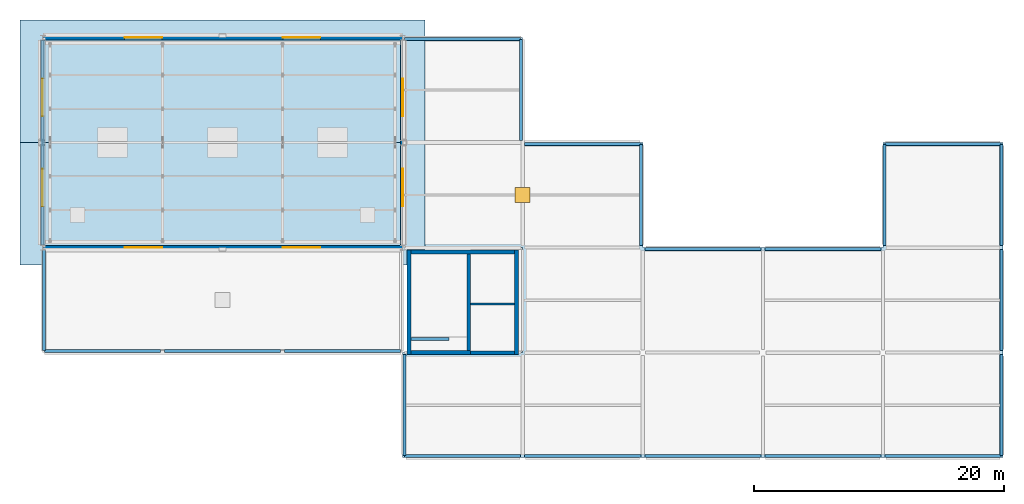
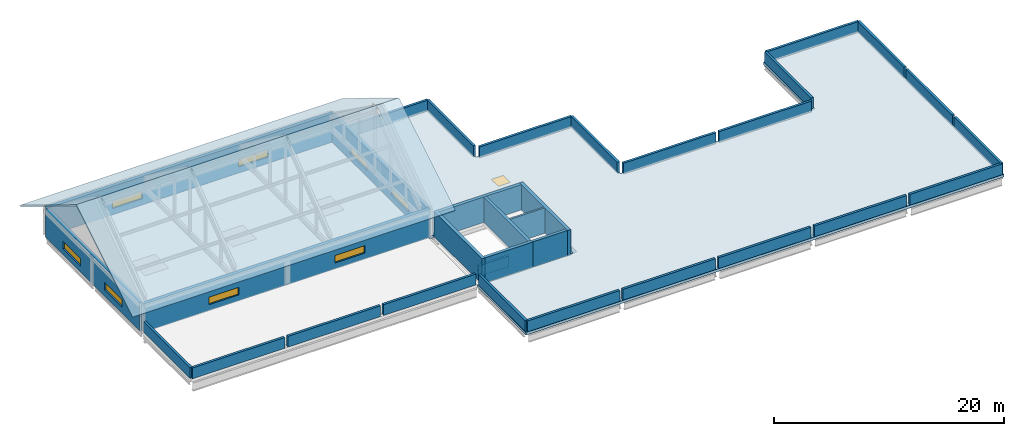
# One storey, part 9 of 10: 33 walls, 8 windows, 2 roofs, 1 door, 1 slab, 9 openings.
"""IFC4 building model written with IfcOpenShell, lengths in metres."""

from ifc_helpers import new_model, si_unit, direction, frame, frame_2d, origin, origin_2d, place, context, subcontext, project, spatial, polyline, rectangle, outline, extrude, material, layer, layer_set, type_object, element, fill, save


model = new_model("IFC4")

# Units and contexts
model_context = context("Model", 3, precision=1e-05, world=origin(), true_north=direction((0.0, 1.0)))
body_context = subcontext(model_context, "Body", "Model", "MODEL_VIEW")
ifc_project = project(units=[si_unit("LENGTHUNIT", "METRE"), si_unit("AREAUNIT", "SQUARE_METRE"), si_unit("VOLUMEUNIT", "CUBIC_METRE"), si_unit("PLANEANGLEUNIT", "RADIAN"), si_unit("MASSUNIT", "GRAM", prefix="KILO")], contexts=[model_context])

# Site, building, storey
site_placement = place(None, origin())
site = spatial("IfcSite", under=ifc_project, at=site_placement, CompositionType="ELEMENT")
building_placement = place(site_placement, origin())
building = spatial("IfcBuilding", under=site, at=building_placement, Name="Lornevale Opera House", CompositionType="ELEMENT")
storey_placement = place(building_placement, frame((0.0, 0.0, 31.199951171875)))
storey = spatial("IfcBuildingStorey", under=building, at=storey_placement, Name="RF", CompositionType="ELEMENT", Elevation=31.199951171875)

# Slab, opening, door
ifc_material_1 = material(Name="Concrete 35 MPa (CSA A23.1 N)", Category="concrete")
ifc_layer_1 = layer(ifc_material_1, 0.2900390625)
ifc_layer_set_1 = layer_set([ifc_layer_1], Name="Concrete 35 MPa (CSA A23.1 N)")
slab_type = type_object("IfcSlabType", Name="Vegetated Green Roof Slab 290", PredefinedType="ROOF", material=ifc_layer_set_1)
slab_placement = place(storey_placement, frame((0.0, 0.0, -0.2900390625)))
slab = element("IfcSlab", 1, at=slab_placement, inside=storey, type_object=slab_type, Name="Unoccupied Maintenance Vegetated Green Roof Slab SL-087", PredefinedType="ROOF", context=body_context, shape_type="SweptSolid", body=[
    extrude(outline(polyline([(105.60009765625, 67.199951171875), (96.0, 67.199951171875), (96.0, 75.60009765625), (96.0, 84.0), (105.60009765625, 84.0), (105.60009765625, 75.60009765625), (115.199951171875, 75.60009765625), (115.199951171875, 67.199951171875), (124.800048828125, 67.199951171875), (134.39990234375, 67.199951171875), (134.39990234375, 75.60009765625), (144.0, 75.60009765625), (144.0, 67.199951171875), (144.0, 58.800048828125), (144.0, 50.39990234375), (134.39990234375, 50.39990234375), (124.800048828125, 50.39990234375), (115.199951171875, 50.39990234375), (105.60009765625, 50.39990234375), (96.0, 50.39990234375), (96.0, 58.800048828125), (105.60009765625, 58.800048828125), (105.60009765625, 67.199951171875)])), origin(), (0.0, 0.0, 1.0), 0.2900390625),
])
opening_1_placement = place(slab_placement, frame((105.60009765625, 71.39990234375, 0.0)))
opening_1 = element("IfcOpeningElement", 2, at=opening_1_placement, cuts=slab, Name="Opening DR-T09", PredefinedType="OPENING", context=body_context, shape_type="SweptSolid", body=[
    extrude(rectangle(XDim=1.199951171875, YDim=1.199951171875, at=origin_2d()), origin(), (0.0, 0.0, 1.0), 0.2900390625),
])
ifc_material_2 = material(Name="Painted Hollow Metal Door Steel", Category="steel")
ifc_layer_2 = layer(ifc_material_2, 0.050048828125)
ifc_layer_set_2 = layer_set([ifc_layer_2], Name="Painted Hollow Metal Door Steel")
door_type = type_object("IfcDoorType", Name="Fly Tower Roof Access Hatch 1200x1200", OperationType="NOTDEFINED", PredefinedType="TRAPDOOR", material=ifc_layer_set_2)
door_placement = place(opening_1_placement, frame((0.0, 0.0, 0.239990234375)))
door = element("IfcDoor", 3, at=door_placement, inside=storey, type_object=door_type, Name="Stagehouse Roof Access Hatch DR-HAT-047", OperationType="SINGLE_SWING_LEFT", OverallHeight=1.199951171875, OverallWidth=1.199951171875, PredefinedType="TRAPDOOR", context=body_context, shape_type="SweptSolid", body=[
    extrude(rectangle(XDim=1.199951171875, YDim=1.199951171875, at=origin_2d()), origin(), (0.0, 0.0, 1.0), 0.050048828125),
])
fill(opening_1, door)

# Walls
ifc_material_3 = material(Name="Concrete 40 MPa (CSA A23.1 C-1)", Category="concrete")
ifc_layer_3 = layer(ifc_material_3, 0.320068359375)
ifc_layer_set_3 = layer_set([ifc_layer_3], Name="Concrete 40 MPa (CSA A23.1 C-1)")
wall_type_1 = type_object("IfcWallType", Name="Core Shear Wall 320", PredefinedType="SHEAR", material=ifc_layer_set_3)
wall_1_placement = place(storey_placement, frame((96.659912109375, 58.800048828125, 0.0), z_axis=(0.0, 0.0, 1.0), x_axis=(1.0, 0.0, 0.0)))
element("IfcWall", 4, at=wall_1_placement, inside=storey, type_object=wall_type_1, Name="Stagehouse Firefighter Core West Core Shear Wall 320 WL-COR-0253", PredefinedType="SHEAR", context=body_context, shape_type="SweptSolid", body=[
    extrude(rectangle(XDim=4.780029296875, YDim=0.320068359375, at=frame_2d((2.39013671875, 0.0))), origin(), (0.0, 0.0, 1.0), 2.699951171875),
])
wall_2_placement = place(storey_placement, frame((104.93994140625, 66.840087890625, 0.0), z_axis=(0.0, 0.0, 1.0), x_axis=(-1.0, 0.0, 0.0)))
element("IfcWall", 5, at=wall_2_placement, inside=storey, type_object=wall_type_1, Name="Stagehouse Firefighter Core West Core Shear Wall 320 WL-COR-0255", PredefinedType="SHEAR", context=body_context, shape_type="SweptSolid", body=[
    extrude(rectangle(XDim=8.280029296875, YDim=0.320068359375, at=frame_2d((4.14013671875, 0.0))), origin(), (0.0, 0.0, 1.0), 2.699951171875),
])
for number, where, z_axis, x_axis, name in (
    (6, (96.5, 67.0, 0.0), (0.0, 0.0, 1.0), (0.0, -1.0, 0.0), "Stagehouse Firefighter Core West Core Shear Wall 320 WL-COR-0256"),
    (7, (105.10009765625, 58.639892578125, 0.0), (0.0, 0.0, 1.0), (0.0, 1.0, 0.0), "Stagehouse Firefighter Core West Core Shear Wall 320 WL-COR-0257"),
):
    element("IfcWall", number, at=place(storey_placement, frame(where, z_axis=z_axis, x_axis=x_axis)), inside=storey, type_object=wall_type_1, Name=name, PredefinedType="SHEAR", context=body_context, shape_type="SweptSolid", body=[
        extrude(rectangle(XDim=8.360107421875, YDim=0.320068359375, at=frame_2d((4.18017578125, 0.0))), origin(), (0.0, 0.0, 1.0), 2.699951171875),
    ])
ifc_layer_4 = layer(ifc_material_3, 0.280029296875)
ifc_layer_set_4 = layer_set([ifc_layer_4], Name="Concrete 40 MPa (CSA A23.1 C-1)")
wall_type_2 = type_object("IfcWallType", Name="Elevator Shaft Wall 280", PredefinedType="SHEAR", material=ifc_layer_set_4)
wall_3_placement = place(storey_placement, frame((101.43994140625, 58.800048828125, 0.0), z_axis=(0.0, 0.0, 1.0), x_axis=(1.0, 0.0, 0.0)))
element("IfcWall", 8, at=wall_3_placement, inside=storey, type_object=wall_type_2, Name="Stagehouse Firefighter Core West Elevator Shaft Wall 280 WL-COR-0254", PredefinedType="SHEAR", context=body_context, shape_type="SweptSolid", body=[
    extrude(rectangle(XDim=3.5, YDim=0.280029296875, at=frame_2d((1.75, 0.0))), origin(), (0.0, 0.0, 1.0), 2.699951171875),
])
wall_4_placement = place(storey_placement, frame((101.300048828125, 58.9599609375, 0.0), z_axis=(0.0, 0.0, 1.0), x_axis=(0.0, 1.0, 0.0)))
element("IfcWall", 9, at=wall_4_placement, inside=storey, type_object=wall_type_2, Name="Stagehouse Firefighter Core West Elevator Shaft Wall 280 WL-COR-0258", PredefinedType="SHEAR", context=body_context, shape_type="SweptSolid", body=[
    extrude(rectangle(XDim=7.719970703125, YDim=0.280029296875, at=frame_2d((3.85986328125, 0.0))), origin(), (0.0, 0.0, 1.0), 2.699951171875),
])

# Wall, openings, windows
ifc_material_4 = material(Name="Precast Concrete 40 MPa (CSA A23.1 C-1)", Category="concrete")
ifc_layer_5 = layer(ifc_material_4, 0.360107421875)
ifc_layer_set_5 = layer_set([ifc_layer_5], Name="Precast Concrete 40 MPa (CSA A23.1 C-1)")
wall_type_3 = type_object("IfcWallType", Name="Fly Tower Acoustic Precast Wall 360", PredefinedType="SOLIDWALL", material=ifc_layer_set_5)
wall_5_placement = place(storey_placement, frame((95.97998046875, 67.199951171875, 0.0), z_axis=(0.0, 0.0, 1.0), x_axis=(-1.0, 0.0, 0.0)))
wall_5 = element("IfcWall", 10, at=wall_5_placement, inside=storey, type_object=wall_type_3, Name="Fly Tower Crown Wall WL-FLY-0320", PredefinedType="SOLIDWALL", context=body_context, shape_type="SweptSolid", body=[
    extrude(rectangle(XDim=28.760009765625, YDim=0.360107421875, at=frame_2d((14.3798828125, 0.0))), origin(), (0.0, 0.0, 1.0), 3.0),
])
opening_2_placement = place(wall_5_placement, frame((6.552978515625, 0.0, 0.64990234375)))
opening_2 = element("IfcOpeningElement", 11, at=opening_2_placement, cuts=wall_5, Name="Opening WN-T21", PredefinedType="OPENING", context=body_context, shape_type="SweptSolid", body=[
    extrude(rectangle(XDim=3.0, YDim=0.800048828125, at=frame_2d((1.5, 0.39990234375))), frame((0.0, 0.18994140625, 0.0), z_axis=(0.0, -1.0, 0.0), x_axis=(1.0, 0.0, 0.0)), (0.0, 0.0, 1.0), 0.380126953125),
])
opening_3_placement = place(wall_5_placement, frame((19.20703125, 0.0, 0.64990234375)))
opening_3 = element("IfcOpeningElement", 12, at=opening_3_placement, cuts=wall_5, Name="Opening WN-T21", PredefinedType="OPENING", context=body_context, shape_type="SweptSolid", body=[
    extrude(rectangle(XDim=3.0, YDim=0.800048828125, at=frame_2d((1.5, 0.39990234375))), frame((0.0, 0.18994140625, 0.0), z_axis=(0.0, -1.0, 0.0), x_axis=(1.0, 0.0, 0.0)), (0.0, 0.0, 1.0), 0.380126953125),
])
ifc_material_5 = material(Name="Triple Low-E Insulated Glazing", Category="glass")
ifc_layer_6 = layer(ifc_material_5, 0.06005859375)
ifc_layer_set_6 = layer_set([ifc_layer_6], Name="Triple Low-E Insulated Glazing")
window_type = type_object("IfcWindowType", Name="Fly Tower Clerestory Ribbon 3000x800", PartitioningType="NOTDEFINED", PredefinedType="WINDOW", material=ifc_layer_set_6)
window_1_placement = place(opening_2_placement, origin())
window_1 = element("IfcWindow", 13, at=window_1_placement, inside=storey, type_object=window_type, Name="Fly Tower Smoke-Vent Clerestory WN-0136", OverallHeight=0.800048828125, OverallWidth=3.0, PartitioningType="SINGLE_PANEL", PredefinedType="WINDOW", context=body_context, shape_type="SweptSolid", body=[
    extrude(rectangle(XDim=3.0, YDim=0.800048828125, at=frame_2d((1.5, 0.39990234375))), frame((0.0, 0.030029296875, 0.0), z_axis=(0.0, -1.0, 0.0), x_axis=(1.0, 0.0, 0.0)), (0.0, 0.0, 1.0), 0.06005859375),
])
fill(opening_2, window_1)
window_2_placement = place(opening_3_placement, origin())
window_2 = element("IfcWindow", 14, at=window_2_placement, inside=storey, type_object=window_type, Name="Fly Tower Smoke-Vent Clerestory WN-0137", OverallHeight=0.800048828125, OverallWidth=3.0, PartitioningType="SINGLE_PANEL", PredefinedType="WINDOW", context=body_context, shape_type="SweptSolid", body=[
    extrude(rectangle(XDim=3.0, YDim=0.800048828125, at=frame_2d((1.5, 0.39990234375))), frame((0.0, 0.030029296875, 0.0), z_axis=(0.0, -1.0, 0.0), x_axis=(1.0, 0.0, 0.0)), (0.0, 0.0, 1.0), 0.06005859375),
])
fill(opening_3, window_2)

wall_6_placement = place(storey_placement, frame((67.199951171875, 67.389892578125, 0.0), z_axis=(0.0, 0.0, 1.0), x_axis=(0.0, 1.0, 0.0)))
wall_6 = element("IfcWall", 15, at=wall_6_placement, inside=storey, type_object=wall_type_3, Name="Fly Tower Crown Wall WL-FLY-0321", PredefinedType="SOLIDWALL", context=body_context, shape_type="SweptSolid", body=[
    extrude(rectangle(XDim=16.420166015625, YDim=0.360107421875, at=frame_2d((8.2099609375, 0.0))), origin(), (0.0, 0.0, 1.0), 3.0),
])
opening_4_placement = place(wall_6_placement, frame((3.097900390625, 0.0, 0.64990234375)))
opening_4 = element("IfcOpeningElement", 16, at=opening_4_placement, cuts=wall_6, Name="Opening WN-T21", PredefinedType="OPENING", context=body_context, shape_type="SweptSolid", body=[
    extrude(rectangle(XDim=3.0, YDim=0.800048828125, at=frame_2d((1.5, 0.39990234375))), frame((0.0, 0.18994140625, 0.0), z_axis=(0.0, -1.0, 0.0), x_axis=(1.0, 0.0, 0.0)), (0.0, 0.0, 1.0), 0.380126953125),
])
opening_5_placement = place(wall_6_placement, frame((10.322021484375, 0.0, 0.64990234375)))
opening_5 = element("IfcOpeningElement", 17, at=opening_5_placement, cuts=wall_6, Name="Opening WN-T21", PredefinedType="OPENING", context=body_context, shape_type="SweptSolid", body=[
    extrude(rectangle(XDim=3.0, YDim=0.800048828125, at=frame_2d((1.5, 0.39990234375))), frame((0.0, 0.18994140625, 0.0), z_axis=(0.0, -1.0, 0.0), x_axis=(1.0, 0.0, 0.0)), (0.0, 0.0, 1.0), 0.380126953125),
])
window_3_placement = place(opening_4_placement, origin())
window_3 = element("IfcWindow", 18, at=window_3_placement, inside=storey, type_object=window_type, Name="Fly Tower Smoke-Vent Clerestory WN-0138", OverallHeight=0.800048828125, OverallWidth=3.0, PartitioningType="SINGLE_PANEL", PredefinedType="WINDOW", context=body_context, shape_type="SweptSolid", body=[
    extrude(rectangle(XDim=3.0, YDim=0.800048828125, at=frame_2d((1.5, 0.39990234375))), frame((0.0, 0.030029296875, 0.0), z_axis=(0.0, -1.0, 0.0), x_axis=(1.0, 0.0, 0.0)), (0.0, 0.0, 1.0), 0.06005859375),
])
fill(opening_4, window_3)
window_4_placement = place(opening_5_placement, origin())
window_4 = element("IfcWindow", 19, at=window_4_placement, inside=storey, type_object=window_type, Name="Fly Tower Smoke-Vent Clerestory WN-0139", OverallHeight=0.800048828125, OverallWidth=3.0, PartitioningType="SINGLE_PANEL", PredefinedType="WINDOW", context=body_context, shape_type="SweptSolid", body=[
    extrude(rectangle(XDim=3.0, YDim=0.800048828125, at=frame_2d((1.5, 0.39990234375))), frame((0.0, 0.030029296875, 0.0), z_axis=(0.0, -1.0, 0.0), x_axis=(1.0, 0.0, 0.0)), (0.0, 0.0, 1.0), 0.06005859375),
])
fill(opening_5, window_4)

wall_7_placement = place(storey_placement, frame((67.219970703125, 84.0, 0.0), z_axis=(0.0, 0.0, 1.0), x_axis=(1.0, 0.0, 0.0)))
wall_7 = element("IfcWall", 20, at=wall_7_placement, inside=storey, type_object=wall_type_3, Name="Fly Tower Crown Wall WL-FLY-0322", PredefinedType="SOLIDWALL", context=body_context, shape_type="SweptSolid", body=[
    extrude(rectangle(XDim=28.760009765625, YDim=0.360107421875, at=frame_2d((14.3798828125, 0.0))), origin(), (0.0, 0.0, 1.0), 3.0),
])
opening_6_placement = place(wall_7_placement, frame((6.552978515625, 0.0, 0.64990234375)))
opening_6 = element("IfcOpeningElement", 21, at=opening_6_placement, cuts=wall_7, Name="Opening WN-T21", PredefinedType="OPENING", context=body_context, shape_type="SweptSolid", body=[
    extrude(rectangle(XDim=3.0, YDim=0.800048828125, at=frame_2d((1.5, 0.39990234375))), frame((0.0, 0.18994140625, 0.0), z_axis=(0.0, -1.0, 0.0), x_axis=(1.0, 0.0, 0.0)), (0.0, 0.0, 1.0), 0.380126953125),
])
opening_7_placement = place(wall_7_placement, frame((19.20703125, 0.0, 0.64990234375)))
opening_7 = element("IfcOpeningElement", 22, at=opening_7_placement, cuts=wall_7, Name="Opening WN-T21", PredefinedType="OPENING", context=body_context, shape_type="SweptSolid", body=[
    extrude(rectangle(XDim=3.0, YDim=0.800048828125, at=frame_2d((1.5, 0.39990234375))), frame((0.0, 0.18994140625, 0.0), z_axis=(0.0, -1.0, 0.0), x_axis=(1.0, 0.0, 0.0)), (0.0, 0.0, 1.0), 0.380126953125),
])
window_5_placement = place(opening_6_placement, origin())
window_5 = element("IfcWindow", 23, at=window_5_placement, inside=storey, type_object=window_type, Name="Fly Tower Smoke-Vent Clerestory WN-0140", OverallHeight=0.800048828125, OverallWidth=3.0, PartitioningType="SINGLE_PANEL", PredefinedType="WINDOW", context=body_context, shape_type="SweptSolid", body=[
    extrude(rectangle(XDim=3.0, YDim=0.800048828125, at=frame_2d((1.5, 0.39990234375))), frame((0.0, 0.030029296875, 0.0), z_axis=(0.0, -1.0, 0.0), x_axis=(1.0, 0.0, 0.0)), (0.0, 0.0, 1.0), 0.06005859375),
])
fill(opening_6, window_5)
window_6_placement = place(opening_7_placement, origin())
window_6 = element("IfcWindow", 24, at=window_6_placement, inside=storey, type_object=window_type, Name="Fly Tower Smoke-Vent Clerestory WN-0141", OverallHeight=0.800048828125, OverallWidth=3.0, PartitioningType="SINGLE_PANEL", PredefinedType="WINDOW", context=body_context, shape_type="SweptSolid", body=[
    extrude(rectangle(XDim=3.0, YDim=0.800048828125, at=frame_2d((1.5, 0.39990234375))), frame((0.0, 0.030029296875, 0.0), z_axis=(0.0, -1.0, 0.0), x_axis=(1.0, 0.0, 0.0)), (0.0, 0.0, 1.0), 0.06005859375),
])
fill(opening_7, window_6)

wall_8_placement = place(storey_placement, frame((96.0, 83.81005859375, 0.0), z_axis=(0.0, 0.0, 1.0), x_axis=(0.0, -1.0, 0.0)))
wall_8 = element("IfcWall", 25, at=wall_8_placement, inside=storey, type_object=wall_type_3, Name="Fly Tower Crown Wall WL-FLY-0323", PredefinedType="SOLIDWALL", context=body_context, shape_type="SweptSolid", body=[
    extrude(rectangle(XDim=16.420166015625, YDim=0.360107421875, at=frame_2d((8.2099609375, 0.0))), origin(), (0.0, 0.0, 1.0), 3.0),
])
opening_8_placement = place(wall_8_placement, frame((3.097900390625, 0.0, 0.64990234375)))
opening_8 = element("IfcOpeningElement", 26, at=opening_8_placement, cuts=wall_8, Name="Opening WN-T21", PredefinedType="OPENING", context=body_context, shape_type="SweptSolid", body=[
    extrude(rectangle(XDim=3.0, YDim=0.800048828125, at=frame_2d((1.5, 0.39990234375))), frame((0.0, 0.18994140625, 0.0), z_axis=(0.0, -1.0, 0.0), x_axis=(1.0, 0.0, 0.0)), (0.0, 0.0, 1.0), 0.380126953125),
])
opening_9_placement = place(wall_8_placement, frame((10.322021484375, 0.0, 0.64990234375)))
opening_9 = element("IfcOpeningElement", 27, at=opening_9_placement, cuts=wall_8, Name="Opening WN-T21", PredefinedType="OPENING", context=body_context, shape_type="SweptSolid", body=[
    extrude(rectangle(XDim=3.0, YDim=0.800048828125, at=frame_2d((1.5, 0.39990234375))), frame((0.0, 0.18994140625, 0.0), z_axis=(0.0, -1.0, 0.0), x_axis=(1.0, 0.0, 0.0)), (0.0, 0.0, 1.0), 0.380126953125),
])
window_7_placement = place(opening_8_placement, origin())
window_7 = element("IfcWindow", 28, at=window_7_placement, inside=storey, type_object=window_type, Name="Fly Tower Smoke-Vent Clerestory WN-0142", OverallHeight=0.800048828125, OverallWidth=3.0, PartitioningType="SINGLE_PANEL", PredefinedType="WINDOW", context=body_context, shape_type="SweptSolid", body=[
    extrude(rectangle(XDim=3.0, YDim=0.800048828125, at=frame_2d((1.5, 0.39990234375))), frame((0.0, 0.030029296875, 0.0), z_axis=(0.0, -1.0, 0.0), x_axis=(1.0, 0.0, 0.0)), (0.0, 0.0, 1.0), 0.06005859375),
])
fill(opening_8, window_7)
window_8_placement = place(opening_9_placement, origin())
window_8 = element("IfcWindow", 29, at=window_8_placement, inside=storey, type_object=window_type, Name="Fly Tower Smoke-Vent Clerestory WN-0143", OverallHeight=0.800048828125, OverallWidth=3.0, PartitioningType="SINGLE_PANEL", PredefinedType="WINDOW", context=body_context, shape_type="SweptSolid", body=[
    extrude(rectangle(XDim=3.0, YDim=0.800048828125, at=frame_2d((1.5, 0.39990234375))), frame((0.0, 0.030029296875, 0.0), z_axis=(0.0, -1.0, 0.0), x_axis=(1.0, 0.0, 0.0)), (0.0, 0.0, 1.0), 0.06005859375),
])
fill(opening_9, window_8)

# Walls
ifc_material_6 = material(Name="Moisture-Resistant Ceramic & Gypsum Partition", Category="gypsum")
ifc_layer_7 = layer(ifc_material_6, 0.179931640625)
ifc_layer_set_7 = layer_set([ifc_layer_7], Name="Moisture-Resistant Ceramic & Gypsum Partition")
wall_type_4 = type_object("IfcWallType", Name="Riser Shaft Wall 180", PredefinedType="SOLIDWALL", material=ifc_layer_set_7)
wall_9_placement = place(storey_placement, frame((101.43994140625, 62.699951171875, 0.0), z_axis=(0.0, 0.0, 1.0), x_axis=(1.0, 0.0, 0.0)))
element("IfcWall", 30, at=wall_9_placement, inside=storey, type_object=wall_type_4, Name="Stagehouse Firefighter Core West Riser Shaft Wall 180 WL-COR-0259", PredefinedType="SOLIDWALL", context=body_context, shape_type="SweptSolid", body=[
    extrude(rectangle(XDim=3.5, YDim=0.179931640625, at=frame_2d((1.75, 0.0))), origin(), (0.0, 0.0, 1.0), 2.699951171875),
])
ifc_material_7 = material(Name="Queenston Buff Limestone Ashlar Masonry (25 MPa)", Category="masonry")
ifc_layer_8 = layer(ifc_material_7, 0.239990234375)
ifc_layer_set_8 = layer_set([ifc_layer_8], Name="Queenston Buff Limestone Ashlar Masonry (25 MPa)")
wall_type_5 = type_object("IfcWallType", Name="Stone Coped Parapet Wall 240", PredefinedType="PARAPET", material=ifc_layer_set_8)
wall_10_placement = place(storey_placement, frame((96.159912109375, 83.8701171875, 0.0), z_axis=(0.0, 0.0, 1.0), x_axis=(1.0, 0.0, 0.0)))
element("IfcWall", 31, at=wall_10_placement, inside=storey, type_object=wall_type_5, Name="Stone Coped Parapet Wall 240 0489", PredefinedType="PARAPET", context=body_context, shape_type="SweptSolid", body=[
    extrude(rectangle(XDim=9.280029296875, YDim=0.239990234375, at=frame_2d((4.64013671875, 0.0))), origin(), (0.0, 0.0, 1.0), 1.150146484375),
])
wall_11_placement = place(storey_placement, frame((105.469970703125, 83.840087890625, 0.0), z_axis=(0.0, 0.0, 1.0), x_axis=(0.0, -1.0, 0.0)))
element("IfcWall", 32, at=wall_11_placement, inside=storey, type_object=wall_type_5, Name="Stone Coped Parapet Wall 240 0490", PredefinedType="PARAPET", context=body_context, shape_type="SweptSolid", body=[
    extrude(rectangle(XDim=8.080078125, YDim=0.239990234375, at=frame_2d((4.0400390625, 0.0))), origin(), (0.0, 0.0, 1.0), 1.150146484375),
])
wall_12_placement = place(storey_placement, frame((105.760009765625, 75.469970703125, 0.0), z_axis=(0.0, 0.0, 1.0), x_axis=(1.0, 0.0, 0.0)))
element("IfcWall", 33, at=wall_12_placement, inside=storey, type_object=wall_type_5, Name="Stone Coped Parapet Wall 240 0491", PredefinedType="PARAPET", context=body_context, shape_type="SweptSolid", body=[
    extrude(rectangle(XDim=9.280029296875, YDim=0.239990234375, at=frame_2d((4.64013671875, 0.0))), origin(), (0.0, 0.0, 1.0), 1.150146484375),
])
wall_13_placement = place(storey_placement, frame((115.070068359375, 75.43994140625, 0.0), z_axis=(0.0, 0.0, 1.0), x_axis=(0.0, -1.0, 0.0)))
element("IfcWall", 34, at=wall_13_placement, inside=storey, type_object=wall_type_5, Name="Stone Coped Parapet Wall 240 0492", PredefinedType="PARAPET", context=body_context, shape_type="SweptSolid", body=[
    extrude(rectangle(XDim=8.079833984375, YDim=0.239990234375, at=frame_2d((4.0400390625, 0.0))), origin(), (0.0, 0.0, 1.0), 1.150146484375),
])
wall_14_placement = place(storey_placement, frame((115.360107421875, 67.070068359375, 0.0), z_axis=(0.0, 0.0, 1.0), x_axis=(1.0, 0.0, 0.0)))
element("IfcWall", 35, at=wall_14_placement, inside=storey, type_object=wall_type_5, Name="Stone Coped Parapet Wall 240 0493", PredefinedType="PARAPET", context=body_context, shape_type="SweptSolid", body=[
    extrude(rectangle(XDim=9.27978515625, YDim=0.239990234375, at=frame_2d((4.639892578125, 0.0))), origin(), (0.0, 0.0, 1.0), 1.150146484375),
])
wall_15_placement = place(storey_placement, frame((124.9599609375, 67.070068359375, 0.0), z_axis=(0.0, 0.0, 1.0), x_axis=(1.0, 0.0, 0.0)))
element("IfcWall", 36, at=wall_15_placement, inside=storey, type_object=wall_type_5, Name="Stone Coped Parapet Wall 240 0494", PredefinedType="PARAPET", context=body_context, shape_type="SweptSolid", body=[
    extrude(rectangle(XDim=9.280029296875, YDim=0.239990234375, at=frame_2d((4.64013671875, 0.0))), origin(), (0.0, 0.0, 1.0), 1.150146484375),
])
wall_16_placement = place(storey_placement, frame((134.530029296875, 67.360107421875, 0.0), z_axis=(0.0, 0.0, 1.0), x_axis=(0.0, 1.0, 0.0)))
element("IfcWall", 37, at=wall_16_placement, inside=storey, type_object=wall_type_5, Name="Stone Coped Parapet Wall 240 0495", PredefinedType="PARAPET", context=body_context, shape_type="SweptSolid", body=[
    extrude(rectangle(XDim=8.079833984375, YDim=0.239990234375, at=frame_2d((4.0400390625, 0.0))), origin(), (0.0, 0.0, 1.0), 1.150146484375),
])
wall_17_placement = place(storey_placement, frame((134.56005859375, 75.469970703125, 0.0), z_axis=(0.0, 0.0, 1.0), x_axis=(1.0, 0.0, 0.0)))
element("IfcWall", 38, at=wall_17_placement, inside=storey, type_object=wall_type_5, Name="Stone Coped Parapet Wall 240 0496", PredefinedType="PARAPET", context=body_context, shape_type="SweptSolid", body=[
    extrude(rectangle(XDim=9.280029296875, YDim=0.239990234375, at=frame_2d((4.64013671875, 0.0))), origin(), (0.0, 0.0, 1.0), 1.150146484375),
])
wall_18_placement = place(storey_placement, frame((143.8701171875, 75.43994140625, 0.0), z_axis=(0.0, 0.0, 1.0), x_axis=(0.0, -1.0, 0.0)))
element("IfcWall", 39, at=wall_18_placement, inside=storey, type_object=wall_type_5, Name="Stone Coped Parapet Wall 240 0497", PredefinedType="PARAPET", context=body_context, shape_type="SweptSolid", body=[
    extrude(rectangle(XDim=8.079833984375, YDim=0.239990234375, at=frame_2d((4.0400390625, 0.0))), origin(), (0.0, 0.0, 1.0), 1.150146484375),
])
wall_19_placement = place(storey_placement, frame((143.8701171875, 67.0400390625, 0.0), z_axis=(0.0, 0.0, 1.0), x_axis=(0.0, -1.0, 0.0)))
element("IfcWall", 40, at=wall_19_placement, inside=storey, type_object=wall_type_5, Name="Stone Coped Parapet Wall 240 0498", PredefinedType="PARAPET", context=body_context, shape_type="SweptSolid", body=[
    extrude(rectangle(XDim=8.080078125, YDim=0.239990234375, at=frame_2d((4.0400390625, 0.0))), origin(), (0.0, 0.0, 1.0), 1.150146484375),
])
wall_20_placement = place(storey_placement, frame((143.8701171875, 58.639892578125, 0.0), z_axis=(0.0, 0.0, 1.0), x_axis=(0.0, -1.0, 0.0)))
element("IfcWall", 41, at=wall_20_placement, inside=storey, type_object=wall_type_5, Name="Stone Coped Parapet Wall 240 0499", PredefinedType="PARAPET", context=body_context, shape_type="SweptSolid", body=[
    extrude(rectangle(XDim=8.079833984375, YDim=0.239990234375, at=frame_2d((4.0400390625, 0.0))), origin(), (0.0, 0.0, 1.0), 1.150146484375),
])
for number, where, z_axis, x_axis, name in (
    (42, (143.840087890625, 50.530029296875, 0.0), (0.0, 0.0, 1.0), (-1.0, 0.0, 0.0), "Stone Coped Parapet Wall 240 0500"),
    (43, (134.239990234375, 50.530029296875, 0.0), (0.0, 0.0, 1.0), (-1.0, 0.0, 0.0), "Stone Coped Parapet Wall 240 0501"),
):
    element("IfcWall", number, at=place(storey_placement, frame(where, z_axis=z_axis, x_axis=x_axis)), inside=storey, type_object=wall_type_5, Name=name, PredefinedType="PARAPET", context=body_context, shape_type="SweptSolid", body=[
        extrude(rectangle(XDim=9.280029296875, YDim=0.239990234375, at=frame_2d((4.64013671875, 0.0))), origin(), (0.0, 0.0, 1.0), 1.150146484375),
    ])
wall_21_placement = place(storey_placement, frame((124.639892578125, 50.530029296875, 0.0), z_axis=(0.0, 0.0, 1.0), x_axis=(-1.0, 0.0, 0.0)))
element("IfcWall", 44, at=wall_21_placement, inside=storey, type_object=wall_type_5, Name="Stone Coped Parapet Wall 240 0502", PredefinedType="PARAPET", context=body_context, shape_type="SweptSolid", body=[
    extrude(rectangle(XDim=9.27978515625, YDim=0.239990234375, at=frame_2d((4.639892578125, 0.0))), origin(), (0.0, 0.0, 1.0), 1.150146484375),
])
for number, where, z_axis, x_axis, name in (
    (45, (115.0400390625, 50.530029296875, 0.0), (0.0, 0.0, 1.0), (-1.0, 0.0, 0.0), "Stone Coped Parapet Wall 240 0503"),
    (46, (105.43994140625, 50.530029296875, 0.0), (0.0, 0.0, 1.0), (-1.0, 0.0, 0.0), "Stone Coped Parapet Wall 240 0504"),
):
    element("IfcWall", number, at=place(storey_placement, frame(where, z_axis=z_axis, x_axis=x_axis)), inside=storey, type_object=wall_type_5, Name=name, PredefinedType="PARAPET", context=body_context, shape_type="SweptSolid", body=[
        extrude(rectangle(XDim=9.280029296875, YDim=0.239990234375, at=frame_2d((4.64013671875, 0.0))), origin(), (0.0, 0.0, 1.0), 1.150146484375),
    ])
wall_22_placement = place(storey_placement, frame((96.1298828125, 50.56005859375, 0.0), z_axis=(0.0, 0.0, 1.0), x_axis=(0.0, 1.0, 0.0)))
element("IfcWall", 47, at=wall_22_placement, inside=storey, type_object=wall_type_5, Name="Stone Coped Parapet Wall 240 0505", PredefinedType="PARAPET", context=body_context, shape_type="SweptSolid", body=[
    extrude(rectangle(XDim=8.079833984375, YDim=0.239990234375, at=frame_2d((4.0400390625, 0.0))), origin(), (0.0, 0.0, 1.0), 1.150146484375),
])
for number, where, z_axis, x_axis, name in (
    (48, (95.840087890625, 58.929931640625, 0.0), (0.0, 0.0, 1.0), (-1.0, 0.0, 0.0), "Stone Coped Parapet Wall 240 0506"),
    (49, (86.239990234375, 58.929931640625, 0.0), (0.0, 0.0, 1.0), (-1.0, 0.0, 0.0), "Stone Coped Parapet Wall 240 0507"),
):
    element("IfcWall", number, at=place(storey_placement, frame(where, z_axis=z_axis, x_axis=x_axis)), inside=storey, type_object=wall_type_5, Name=name, PredefinedType="PARAPET", context=body_context, shape_type="SweptSolid", body=[
        extrude(rectangle(XDim=9.280029296875, YDim=0.239990234375, at=frame_2d((4.64013671875, 0.0))), origin(), (0.0, 0.0, 1.0), 1.150146484375),
    ])
wall_23_placement = place(storey_placement, frame((76.639892578125, 58.929931640625, 0.0), z_axis=(0.0, 0.0, 1.0), x_axis=(-1.0, 0.0, 0.0)))
element("IfcWall", 50, at=wall_23_placement, inside=storey, type_object=wall_type_5, Name="Stone Coped Parapet Wall 240 0508", PredefinedType="PARAPET", context=body_context, shape_type="SweptSolid", body=[
    extrude(rectangle(XDim=9.27978515625, YDim=0.239990234375, at=frame_2d((4.639892578125, 0.0))), origin(), (0.0, 0.0, 1.0), 1.150146484375),
])
wall_24_placement = place(storey_placement, frame((67.330078125, 58.9599609375, 0.0), z_axis=(0.0, 0.0, 1.0), x_axis=(0.0, 1.0, 0.0)))
element("IfcWall", 51, at=wall_24_placement, inside=storey, type_object=wall_type_5, Name="Stone Coped Parapet Wall 240 0509", PredefinedType="PARAPET", context=body_context, shape_type="SweptSolid", body=[
    extrude(rectangle(XDim=8.080078125, YDim=0.239990234375, at=frame_2d((4.0400390625, 0.0))), origin(), (0.0, 0.0, 1.0), 1.150146484375),
])
wall_25_placement = place(storey_placement, frame((96.659912109375, 59.89990234375, 0.0), z_axis=(0.0, 0.0, 1.0), x_axis=(1.0, 0.0, 0.0)))
element("IfcWall", 52, at=wall_25_placement, inside=storey, type_object=wall_type_5, Name="ST-27 RF Bulkhead Well Kerb Wall", PredefinedType="PARAPET", context=body_context, shape_type="SweptSolid", body=[
    extrude(rectangle(XDim=3.06005859375, YDim=0.239990234375, at=frame_2d((1.530029296875, 0.0))), origin(), (0.0, 0.0, 1.0), 1.150146484375),
])

# Roofs
ifc_material_8 = material(Name="Standing-Seam Patinated Copper Roofing", Category="metal")
ifc_layer_9 = layer(ifc_material_8, 0.159912109375)
ifc_layer_set_9 = layer_set([ifc_layer_9], Name="Standing-Seam Patinated Copper Roofing")
roof_type = type_object("IfcRoofType", Name="Standing-Seam Copper Gable Roof", PredefinedType="GABLE_ROOF", material=ifc_layer_set_9)
roof_1_placement = place(storey_placement, frame((65.39990234375, 65.800048828125, 3.0), z_axis=(0.0, -0.522151967348, 0.852852462619), x_axis=(1.0, 0.0, 0.0)))
element("IfcRoof", 53, at=roof_1_placement, inside=storey, type_object=roof_type, Name="Fly Tower 32-deg Copper Gable Roof RF-FLY-01", PredefinedType="GABLE_ROOF", context=body_context, shape_type="SweptSolid", body=[
    extrude(outline(polyline([(0.0, 0.0), (32.400146484375, 0.0), (32.400146484375, 11.490907580936947), (0.0, 11.490907580936947), (0.0, 0.0)])), origin(), (0.0, 0.0, -1.0), 0.159912109375),
])
roof_2_placement = place(storey_placement, frame((65.39990234375, 75.60009765625, 9.0), z_axis=(0.0, 0.522161428912, 0.852846669781), x_axis=(1.0, 0.0, 0.0)))
element("IfcRoof", 54, at=roof_2_placement, inside=storey, type_object=roof_type, Name="Fly Tower 32-deg Copper Gable Roof RF-FLY-02", PredefinedType="GABLE_ROOF", context=body_context, shape_type="SweptSolid", body=[
    extrude(outline(polyline([(0.0, 0.0), (32.400146484375, 0.0), (32.400146484375, 11.490699365710817), (0.0, 11.490699365710817), (0.0, 0.0)])), origin(), (0.0, 0.0, -1.0), 0.159912109375),
])

save(model, "model.ifc")
